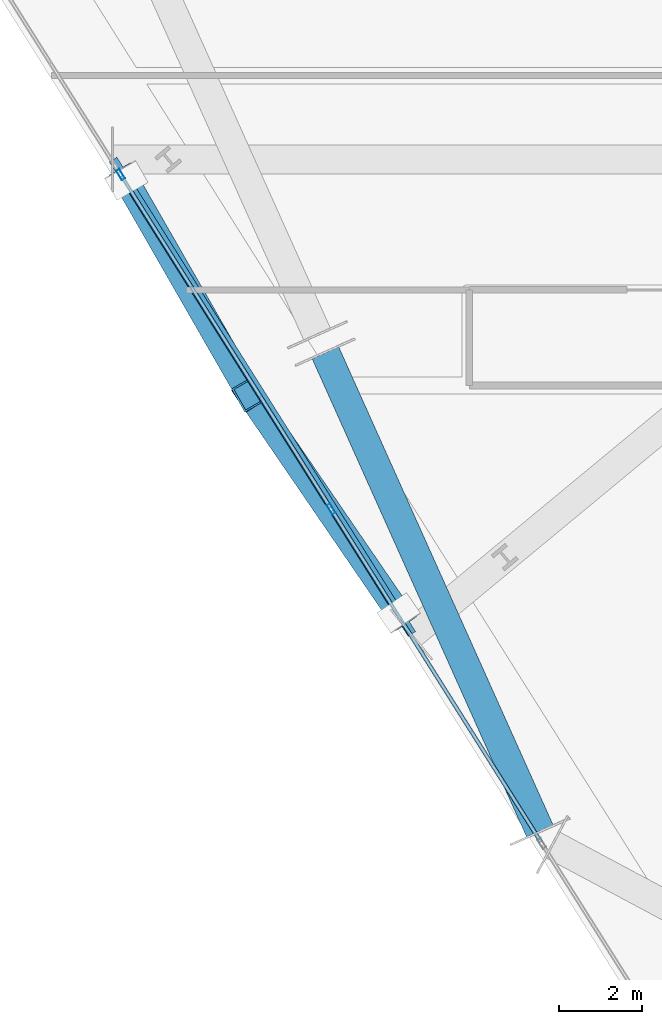
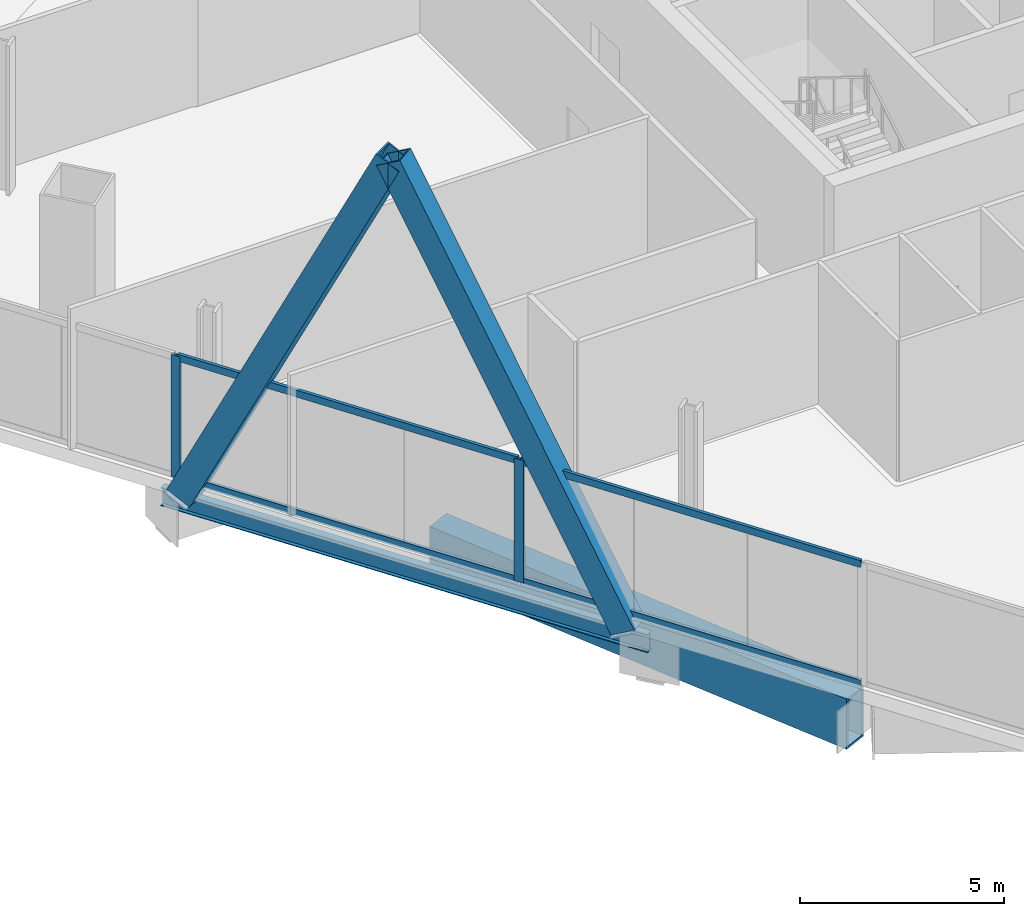
# One storey, part 3 of 29: 8 members, 2 beams, 1 element without a shape of its own.
"""IFC4 building model written with IfcOpenShell, lengths in metres."""

from ifc_helpers import new_model, si_unit, direction, frame, origin, origin_2d, place, context, subcontext, project, spatial, hollow_rectangle, i_section, extrude, material, material_profile, profile_set, type_object, element, aggregate, save


model = new_model("IFC4")

# Units and contexts
model_context = context("Model", 3, precision=1e-05, world=origin(), true_north=direction((0.0, 1.0)))
body_context = subcontext(model_context, "Body", "Model", "MODEL_VIEW")
ifc_project = project(units=[si_unit("LENGTHUNIT", "METRE"), si_unit("AREAUNIT", "SQUARE_METRE"), si_unit("VOLUMEUNIT", "CUBIC_METRE"), si_unit("PLANEANGLEUNIT", "RADIAN"), si_unit("MASSUNIT", "GRAM", prefix="KILO")], contexts=[model_context])

# Site, building, storey
site_placement = place(None, origin())
site = spatial("IfcSite", under=ifc_project, at=site_placement, CompositionType="ELEMENT")
building_placement = place(site_placement, origin())
building = spatial("IfcBuilding", under=site, at=building_placement, Name="Haldenkirk Collegiate Tower", CompositionType="ELEMENT")
storey_placement = place(building_placement, frame((0.0, 0.0, 136.199951171875)))
storey = spatial("IfcBuildingStorey", under=building, at=storey_placement, Name="L33", CompositionType="ELEMENT", Elevation=136.199951171875)

# Beams
ifc_material_1 = material(Name="Steel ASTM A992 Grade 50", Category="steel")
ifc_material_profile_1 = material_profile(ifc_material_1, i_section(OverallWidth=0.2119140625, OverallDepth=0.5439453125, WebThickness=0.01318359375, FlangeThickness=0.021240234375, at=origin_2d()), Name="W21X83")
ifc_profile_set_1 = profile_set([ifc_material_profile_1], Name="Steel ASTM A992 Grade 50")
beam_type_1 = type_object("IfcBeamType", Name="BM-SPANDREL-W21X83", PredefinedType="SPANDREL", material=ifc_profile_set_1)
beam_1_placement = place(storey_placement, frame((9.638671875, 20.9833984375, -0.671875), z_axis=(0.532869474167, -0.846197449477, 0.0), x_axis=(0.846197449477, 0.532869474167, 0.0)))
element("IfcBeam", 1, at=beam_1_placement, inside=storey, type_object=beam_type_1, Name="L33 outer facade edge beam 4", PredefinedType="SPANDREL", context=body_context, shape_type="SweptSolid", body=[
    extrude(i_section(OverallWidth=0.2119140625, OverallDepth=0.5439453125, WebThickness=0.01318359375, FlangeThickness=0.021240234375, at=origin_2d()), origin(), (0.0, 0.0, 1.0), 13.479248046875),
])
ifc_material_2 = material(Name="Steel ASTM A572 Grade 50", Category="steel")
ifc_material_profile_2 = material_profile(ifc_material_2, hollow_rectangle(XDim=0.699951171875, YDim=1.5, WallThickness=0.06005859375, at=origin_2d()), Name="BOX1500X700X60")
ifc_profile_set_2 = profile_set([ifc_material_profile_2], Name="Steel ASTM A572 Grade 50")
beam_type_2 = type_object("IfcBeamType", Name="BM-TRANSFER-BOX1500X700X60", PredefinedType="BEAM", material=ifc_profile_set_2)
beam_2_placement = place(storey_placement, frame((14.742919921875, 16.3369140625, -1.14990234375), z_axis=(0.409131045523, -0.91247563671, 0.0), x_axis=(0.91247563671, 0.409131045523, 0.0)))
element("IfcBeam", 2, at=beam_2_placement, inside=storey, type_object=beam_type_2, Name="L33 sky-lobby perimeter transfer girder 15", PredefinedType="BEAM", context=body_context, shape_type="SweptSolid", body=[
    extrude(hollow_rectangle(XDim=0.699951171875, YDim=1.5, WallThickness=0.06005859375, at=origin_2d()), origin(), (0.0, 0.0, 1.0), 12.593994140625),
])

# Curtain wall, members
ifc_material_3 = material(Name="Anodised architectural bronze aluminium", Category="aluminium")
curtain_wall_type = type_object("IfcCurtainWallType", Name="CW-SYS4-SKYGARDEN", PredefinedType="USERDEFINED", material=ifc_material_3)
curtain_wall_placement = place(storey_placement, origin())
curtain_wall = element("IfcCurtainWall", 3, at=curtain_wall_placement, inside=storey, type_object=curtain_wall_type, Name="L33 Sky-garden tall bronze curtain wall", ObjectType="UNITISED CURTAIN WALL", PredefinedType="USERDEFINED")
ifc_material_profile_3 = material_profile(ifc_material_3, hollow_rectangle(XDim=0.090087890625, YDim=0.260009765625, WallThickness=0.0048828125, at=origin_2d()), Name="CW-MUL-04")
ifc_profile_set_3 = profile_set([ifc_material_profile_3], Name="Anodised architectural bronze aluminium")
member_type_1 = type_object("IfcMemberType", Name="CW-MUL-04", PredefinedType="MULLION", material=ifc_profile_set_3)
member_1_placement = place(storey_placement, frame((14.881591796875, 12.582763671875, 0.0), z_axis=(0.0, 0.0, 1.0), x_axis=(-0.846192099718, -0.532877969496, 0.0)))
member_1 = element("IfcMember", 4, at=member_1_placement, type_object=member_type_1, Name="CW-04 mullion 3", PredefinedType="MULLION", context=body_context, shape_type="SweptSolid", body=[
    extrude(hollow_rectangle(XDim=0.090087890625, YDim=0.260009765625, WallThickness=0.0048828125, at=origin_2d()), origin(), (0.0, 0.0, 1.0), 3.6611328125),
])
member_2_placement = place(storey_placement, frame((9.8193359375, 20.62158203125, 0.0), z_axis=(0.0, 0.0, 1.0), x_axis=(-0.846192099718, -0.532877969496, 0.0)))
member_2 = element("IfcMember", 5, at=member_2_placement, type_object=member_type_1, Name="CW-04 mullion 4", PredefinedType="MULLION", context=body_context, shape_type="SweptSolid", body=[
    extrude(hollow_rectangle(XDim=0.090087890625, YDim=0.260009765625, WallThickness=0.0048828125, at=origin_2d()), origin(), (0.0, 0.0, 1.0), 3.6611328125),
])
ifc_material_profile_4 = material_profile(ifc_material_3, hollow_rectangle(XDim=0.090087890625, YDim=0.2099609375, WallThickness=0.0048828125, at=origin_2d()), Name="CW-TRN-04")
ifc_profile_set_4 = profile_set([ifc_material_profile_4], Name="Anodised architectural bronze aluminium")
member_type_2 = type_object("IfcMemberType", Name="CW-TRN-04", PredefinedType="USERDEFINED", material=ifc_profile_set_4)
member_3_placement = place(storey_placement, frame((19.919921875, 4.58203125, 0.045166015625), z_axis=(-0.532880704143, 0.846190377605, 0.0), x_axis=(-0.846190377605, -0.532880704143, 0.0)))
member_3 = element("IfcMember", 6, at=member_3_placement, type_object=member_type_2, Name="CW-04 transom 2.1", ObjectType="TRANSOM", PredefinedType="USERDEFINED", context=body_context, shape_type="SweptSolid", body=[
    extrude(hollow_rectangle(XDim=0.090087890625, YDim=0.2099609375, WallThickness=0.0048828125, at=origin_2d()), origin(), (0.0, 0.0, 1.0), 9.409912109375),
])
member_4_placement = place(storey_placement, frame((19.919921875, 4.58203125, 3.615966796875), z_axis=(-0.532880704143, 0.846190377605, 0.0), x_axis=(-0.846190377605, -0.532880704143, 0.0)))
member_4 = element("IfcMember", 7, at=member_4_placement, type_object=member_type_2, Name="CW-04 transom 2.2", ObjectType="TRANSOM", PredefinedType="USERDEFINED", context=body_context, shape_type="SweptSolid", body=[
    extrude(hollow_rectangle(XDim=0.090087890625, YDim=0.2099609375, WallThickness=0.0048828125, at=origin_2d()), origin(), (0.0, 0.0, 1.0), 9.409912109375),
])
member_5_placement = place(storey_placement, frame((14.857666015625, 12.620849609375, 0.045166015625), z_axis=(-0.532880704143, 0.846190377605, 0.0), x_axis=(-0.846190377605, -0.532880704143, 0.0)))
member_5 = element("IfcMember", 8, at=member_5_placement, type_object=member_type_2, Name="CW-04 transom 3.1", ObjectType="TRANSOM", PredefinedType="USERDEFINED", context=body_context, shape_type="SweptSolid", body=[
    extrude(hollow_rectangle(XDim=0.090087890625, YDim=0.2099609375, WallThickness=0.0048828125, at=origin_2d()), origin(), (0.0, 0.0, 1.0), 9.409912109375),
])
member_6_placement = place(storey_placement, frame((14.857666015625, 12.620849609375, 3.615966796875), z_axis=(-0.532880704143, 0.846190377605, 0.0), x_axis=(-0.846190377605, -0.532880704143, 0.0)))
member_6 = element("IfcMember", 9, at=member_6_placement, type_object=member_type_2, Name="CW-04 transom 3.2", ObjectType="TRANSOM", PredefinedType="USERDEFINED", context=body_context, shape_type="SweptSolid", body=[
    extrude(hollow_rectangle(XDim=0.090087890625, YDim=0.2099609375, WallThickness=0.0048828125, at=origin_2d()), origin(), (0.0, 0.0, 1.0), 9.409912109375),
])
aggregate(curtain_wall, [member_1, member_2, member_3, member_4, member_5, member_6])

# Members
ifc_material_profile_5 = material_profile(ifc_material_2, hollow_rectangle(XDim=0.60009765625, YDim=0.719970703125, WallThickness=0.044921875, at=origin_2d()), Name="BOX720X600X45")
ifc_profile_set_5 = profile_set([ifc_material_profile_5], Name="Steel ASTM A572 Grade 50")
member_type_3 = type_object("IfcMemberType", Name="MBR-MEGABRACE-BOX720X600X45", PredefinedType="BRACE", material=ifc_profile_set_5)
member_7_placement = place(storey_placement, frame((9.958251953125, 20.475830078125, -0.409912109375), z_axis=(0.218721850698, -0.381196800563, 0.898248156841), x_axis=(0.867364435879, 0.497673522876, 0.0)))
element("IfcMember", 10, at=member_7_placement, inside=storey, type_object=member_type_3, Name="Perimeter Mega Brace Z3 L33-L35 WL", PredefinedType="BRACE", context=body_context, shape_type="SweptSolid", body=[
    extrude(hollow_rectangle(XDim=0.60009765625, YDim=0.719970703125, WallThickness=0.044921875, at=origin_2d()), origin(), (0.0, 0.0, 1.0), 13.481689453125),
])
member_8_placement = place(storey_placement, frame((16.501708984375, 10.085205078125, -0.409912109375), z_axis=(-0.262767965048, 0.383872516177, 0.88520895153), x_axis=(-0.825188679594, -0.564857188208, 0.0)))
element("IfcMember", 11, at=member_8_placement, inside=storey, type_object=member_type_3, Name="Perimeter Mega Brace Z3 L33-L35 WR", PredefinedType="BRACE", context=body_context, shape_type="SweptSolid", body=[
    extrude(hollow_rectangle(XDim=0.60009765625, YDim=0.719970703125, WallThickness=0.044921875, at=origin_2d()), origin(), (0.0, 0.0, 1.0), 13.68017578125),
])

save(model, "model.ifc")
